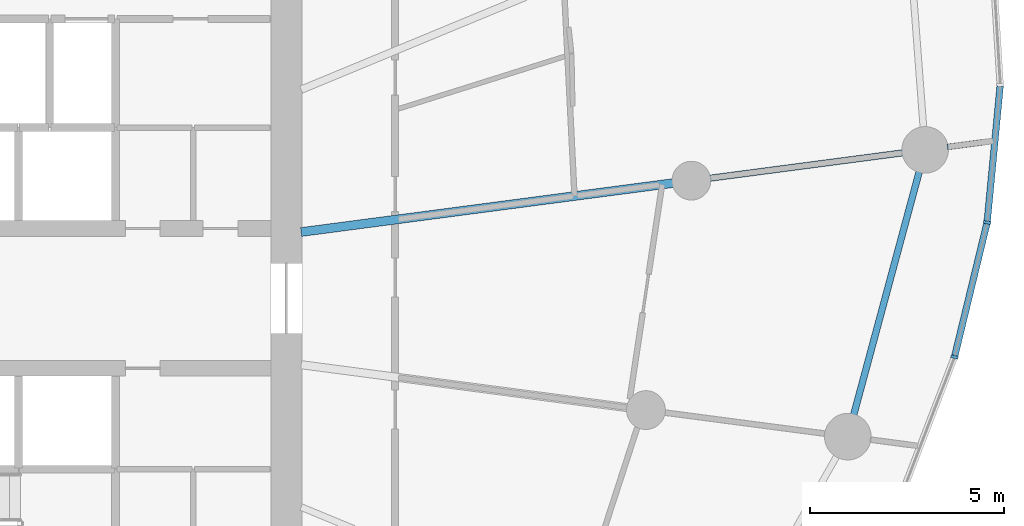
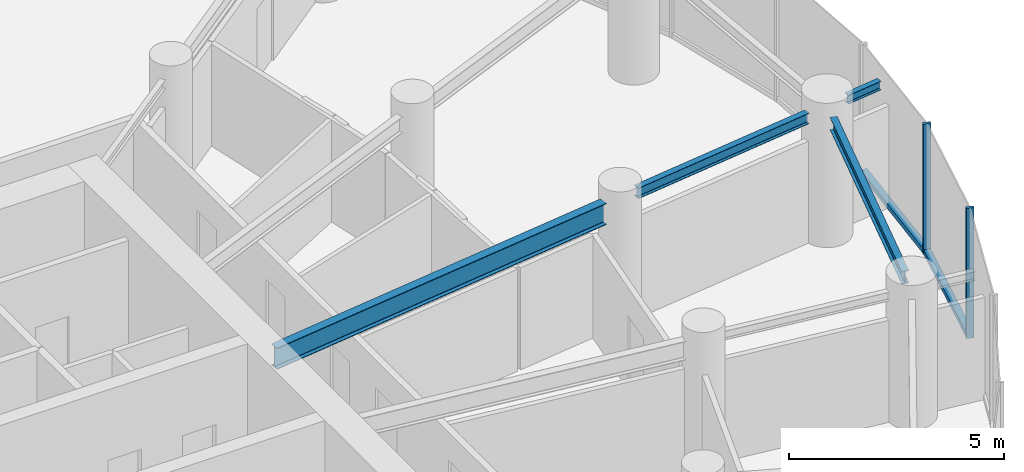
# One storey, part 5 of 18: 4 beams, 4 members, 1 element without a shape of its own.
"""IFC4 building model written with IfcOpenShell, lengths in metres."""

from ifc_helpers import new_model, si_unit, direction, frame, origin, origin_2d, place, context, subcontext, project, spatial, rectangle, i_section, extrude, source, transform, mapped, material, layer, layer_set, material_profile, profile_set, type_object, element, aggregate, save


model = new_model("IFC4")

# Units and contexts
model_context = context("Model", 3, precision=1e-05, world=origin(), true_north=direction((0.0, 1.0)))
body_context = subcontext(model_context, "Body", "Model", "MODEL_VIEW")
ifc_project = project(units=[si_unit("LENGTHUNIT", "METRE"), si_unit("AREAUNIT", "SQUARE_METRE"), si_unit("VOLUMEUNIT", "CUBIC_METRE"), si_unit("PLANEANGLEUNIT", "RADIAN"), si_unit("MASSUNIT", "GRAM", prefix="KILO")], contexts=[model_context])

# Site, building, storey
site_placement = place(None, origin())
site = spatial("IfcSite", under=ifc_project, at=site_placement, CompositionType="ELEMENT")
building_placement = place(site_placement, origin())
building = spatial("IfcBuilding", under=site, at=building_placement, Name="Spindrift Exchange Tower", CompositionType="ELEMENT")
storey_placement = place(building_placement, frame((0.0, 0.0, 116.699951171875)))
storey = spatial("IfcBuildingStorey", under=building, at=storey_placement, Name="L27", CompositionType="ELEMENT", Elevation=116.699951171875)

# Beams
ifc_material_1 = material(Name="Steel Grade 300", Category="steel")
ifc_material_profile_1 = material_profile(ifc_material_1, i_section(OverallWidth=0.22802734375, OverallDepth=0.60693359375, WebThickness=0.01123046875, FlangeThickness=0.017333984375, FilletRadius=0.013916015625, at=origin_2d()), Name="610UB113")
ifc_profile_set_1 = profile_set([ifc_material_profile_1], Name="Steel Grade 300")
beam_type_1 = type_object("IfcBeamType", Name="Floor Beam 610UB113 Steel Grade 300", PredefinedType="BEAM", material=ifc_profile_set_1)
shared_shape_1 = source(origin(), body_context, "Body", "SweptSolid", [
    extrude(i_section(OverallWidth=0.22802734375, OverallDepth=0.60693359375, WebThickness=0.01123046875, FlangeThickness=0.017333984375, FilletRadius=0.013916015625, at=origin_2d()), origin(), (0.0, 0.0, 1.0), 9.660400390625),
])
beam_1_placement = place(storey_placement, frame((64.980224609375, 49.708984375, 3.396484375), z_axis=(0.99144767089, 0.130504850054, 0.0), x_axis=(-0.130504850054, 0.99144767089, 0.0)))
element("IfcBeam", 1, at=beam_1_placement, inside=storey, type_object=beam_type_1, Name="L27 radial beam R01A", PredefinedType="BEAM", context=body_context, shape_type="MappedRepresentation", body=[
    mapped(shared_shape_1, transform((0.0, 0.0, 0.0), scale=1.0)),
])
ifc_material_profile_2 = material_profile(ifc_material_1, i_section(OverallWidth=0.1650390625, OverallDepth=0.303955078125, WebThickness=0.006103515625, FlangeThickness=0.01025390625, FilletRadius=0.011474609375, at=origin_2d()), Name="310UB40.4")
ifc_profile_set_2 = profile_set([ifc_material_profile_2], Name="Steel Grade 300")
beam_type_2 = type_object("IfcBeamType", Name="Floor Beam 310UB40.4 Steel Grade 300", PredefinedType="BEAM", material=ifc_profile_set_2)
shared_shape_2 = source(origin(), body_context, "Body", "SweptSolid", [
    extrude(i_section(OverallWidth=0.1650390625, OverallDepth=0.303955078125, WebThickness=0.006103515625, FlangeThickness=0.01025390625, FilletRadius=0.011474609375, at=origin_2d()), origin(), (0.0, 0.0, 1.0), 5.014404296875),
])
beam_2_placement = place(storey_placement, frame((75.509765625, 51.09521484375, 3.548095703125), z_axis=(0.99145015202, 0.13048599948, 0.0), x_axis=(-0.13048599948, 0.99145015202, 0.0)))
element("IfcBeam", 2, at=beam_2_placement, inside=storey, type_object=beam_type_2, Name="L27 radial beam R01B", PredefinedType="BEAM", context=body_context, shape_type="MappedRepresentation", body=[
    mapped(shared_shape_2, transform((0.0, 0.0, 0.0), scale=1.0)),
])
ifc_material_profile_3 = material_profile(ifc_material_1, i_section(OverallWidth=0.172119140625, OverallDepth=0.35888671875, WebThickness=0.008056640625, FlangeThickness=0.012939453125, FilletRadius=0.013916015625, at=origin_2d()), Name="360UB56.7")
ifc_profile_set_3 = profile_set([ifc_material_profile_3], Name="Steel Grade 300")
beam_type_3 = type_object("IfcBeamType", Name="Edge Beam 360UB56.7 Steel Grade 300", PredefinedType="SPANDREL", material=ifc_profile_set_3)
shared_shape_3 = source(origin(), body_context, "Body", "SweptSolid", [
    extrude(i_section(OverallWidth=0.172119140625, OverallDepth=0.35888671875, WebThickness=0.008056640625, FlangeThickness=0.012939453125, FilletRadius=0.013916015625, at=origin_2d()), origin(), (0.0, 0.0, 1.0), 6.4921875),
])
beam_3_placement = place(storey_placement, frame((79.215576171875, 44.996826171875, 3.5205078125), z_axis=(0.260262058381, 0.965538016324, 0.0), x_axis=(-0.965538016324, 0.260262058381, 0.0)))
element("IfcBeam", 3, at=beam_3_placement, inside=storey, type_object=beam_type_3, Name="L27 edge beam E24", PredefinedType="SPANDREL", context=body_context, shape_type="MappedRepresentation", body=[
    mapped(shared_shape_3, transform((0.0, 0.0, 0.0), scale=1.0)),
])
ifc_material_profile_4 = material_profile(ifc_material_1, i_section(OverallWidth=0.14599609375, OverallDepth=0.251953125, WebThickness=0.006103515625, FlangeThickness=0.008544921875, FilletRadius=0.011962890625, at=origin_2d()), Name="250UB31.4")
ifc_profile_set_4 = profile_set([ifc_material_profile_4], Name="Steel Grade 300")
beam_type_4 = type_object("IfcBeamType", Name="Cantilever Beam 250UB31.4 Steel Grade 300", PredefinedType="BEAM", material=ifc_profile_set_4)
shared_shape_4 = source(origin(), body_context, "Body", "SweptSolid", [
    extrude(i_section(OverallWidth=0.14599609375, OverallDepth=0.251953125, WebThickness=0.006103515625, FlangeThickness=0.008544921875, FilletRadius=0.011962890625, at=origin_2d()), origin(), (0.0, 0.0, 1.0), 0.94970703125),
])
beam_4_placement = place(storey_placement, frame((81.63134765625, 51.90087890625, 3.573974609375), z_axis=(0.99143766418, 0.130580848692, 0.0), x_axis=(-0.130580848692, 0.99143766418, 0.0)))
element("IfcBeam", 4, at=beam_4_placement, inside=storey, type_object=beam_type_4, Name="L27 cantilever beam R01T", PredefinedType="BEAM", context=body_context, shape_type="MappedRepresentation", body=[
    mapped(shared_shape_4, transform((0.0, 0.0, 0.0), scale=1.0)),
])

# Curtain wall, members
ifc_material_2 = material(Name="Fritted laminated glass with bronze frame", Category="glass")
ifc_layer = layer(ifc_material_2, 0.18994140625)
ifc_layer_set = layer_set([ifc_layer], Name="ZONE 2 BRONZE FRITTED WALL")
curtain_wall_type = type_object("IfcCurtainWallType", Name="ZONE 2 BRONZE FRITTED WALL", PredefinedType="NOTDEFINED", material=ifc_layer_set)
curtain_wall_placement = place(storey_placement, origin())
curtain_wall = element("IfcCurtainWall", 5, at=curtain_wall_placement, inside=storey, type_object=curtain_wall_type, Name="L27 Zone 2 Bronze Fritted Wall run 8", PredefinedType="NOTDEFINED")
ifc_material_3 = material(Name="Bronze anodised aluminium", Category="aluminium")
ifc_material_profile_5 = material_profile(ifc_material_3, rectangle(XDim=0.074951171875, YDim=0.18994140625, at=origin_2d()), Name="ZONE 2 BRONZE FRITTED WALL MULLION 75X190")
ifc_profile_set_5 = profile_set([ifc_material_profile_5], Name="Bronze anodised aluminium")
member_type_1 = type_object("IfcMemberType", Name="ZONE 2 BRONZE FRITTED WALL MULLION 75X190", PredefinedType="MULLION", material=ifc_profile_set_5)
shared_shape_5 = source(origin(), body_context, "Body", "SweptSolid", [
    extrude(rectangle(XDim=0.074951171875, YDim=0.18994140625, at=origin_2d()), origin(), (0.0, 0.0, 1.0), 3.699951171875),
])
member_1_placement = place(storey_placement, frame((81.814208984375, 46.489013671875, 0.0), z_axis=(0.0, 0.0, 1.0), x_axis=(0.29779085781, 0.954631135573, 0.0)))
member_1 = element("IfcMember", 6, at=member_1_placement, type_object=member_type_1, Name="L27 mullion CW-2.47", PredefinedType="MULLION", context=body_context, shape_type="MappedRepresentation", body=[
    mapped(shared_shape_5, transform((0.0, 0.0, 0.0), scale=1.0)),
])
member_2_placement = place(storey_placement, frame((82.654296875, 49.95361328125, 0.0), z_axis=(0.0, 0.0, 1.0), x_axis=(0.165772884938, 0.98616395727, 0.0)))
member_2 = element("IfcMember", 7, at=member_2_placement, type_object=member_type_1, Name="L27 mullion CW-2.48", PredefinedType="MULLION", context=body_context, shape_type="MappedRepresentation", body=[
    mapped(shared_shape_5, transform((0.0, 0.0, 0.0), scale=1.0)),
])
ifc_material_profile_6 = material_profile(ifc_material_3, rectangle(XDim=0.169921875, YDim=0.139892578125, at=origin_2d()), Name="ZONE 2 BRONZE FRITTED WALL TRANSOM 170X140")
ifc_profile_set_6 = profile_set([ifc_material_profile_6], Name="Bronze anodised aluminium")
member_type_2 = type_object("IfcMemberType", Name="ZONE 2 BRONZE FRITTED WALL TRANSOM 170X140", PredefinedType="USERDEFINED", material=ifc_profile_set_6)
shared_shape_6 = source(origin(), body_context, "Body", "SweptSolid", [
    extrude(rectangle(XDim=0.169921875, YDim=0.139892578125, at=origin_2d()), origin(), (0.0, 0.0, 1.0), 3.489501953125),
])
member_3_placement = place(storey_placement, frame((82.657958984375, 49.99072265625, 0.070068359375), z_axis=(0.095013800073, 0.995475955408, 0.0), x_axis=(-0.995475955408, 0.095013800073, 0.0)))
member_3 = element("IfcMember", 8, at=member_3_placement, type_object=member_type_2, Name="L27 transom CW-2.48", ObjectType="TRANSOM", PredefinedType="USERDEFINED", context=body_context, shape_type="MappedRepresentation", body=[
    mapped(shared_shape_6, transform((0.0, 0.0, 0.0), scale=1.0)),
])
shared_shape_7 = source(origin(), body_context, "Body", "SweptSolid", [
    extrude(rectangle(XDim=0.169921875, YDim=0.139892578125, at=origin_2d()), origin(), (0.0, 0.0, 1.0), 3.489990234375),
])
member_4_placement = place(storey_placement, frame((81.822998046875, 46.525390625, 0.070068359375), z_axis=(0.235682115509, 0.971830201439, 0.0), x_axis=(-0.971830201439, 0.235682115509, 0.0)))
member_4 = element("IfcMember", 9, at=member_4_placement, type_object=member_type_2, Name="L27 transom CW-2.47", ObjectType="TRANSOM", PredefinedType="USERDEFINED", context=body_context, shape_type="MappedRepresentation", body=[
    mapped(shared_shape_7, transform((0.0, 0.0, 0.0), scale=1.0)),
])
aggregate(curtain_wall, [member_1, member_4, member_2, member_3])

save(model, "model.ifc")
